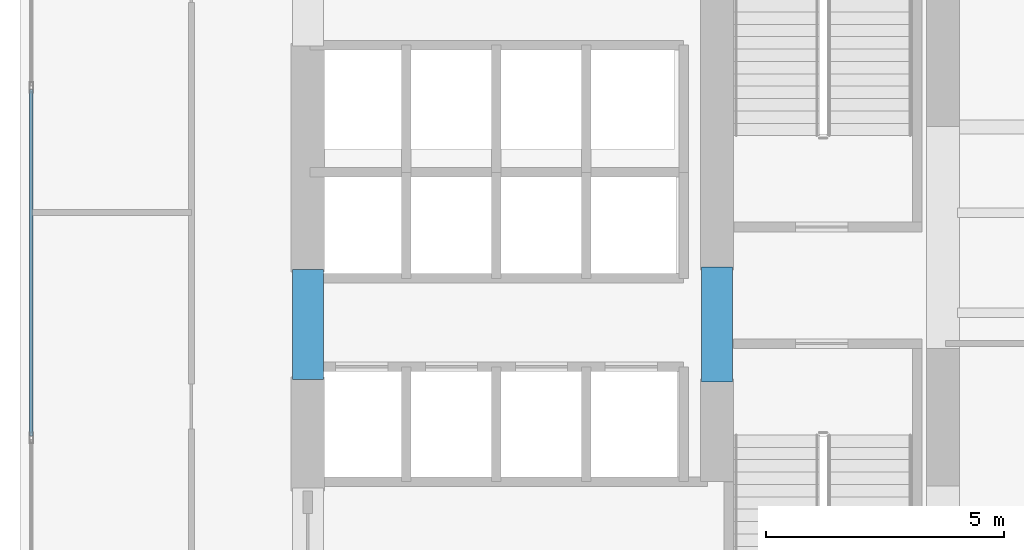
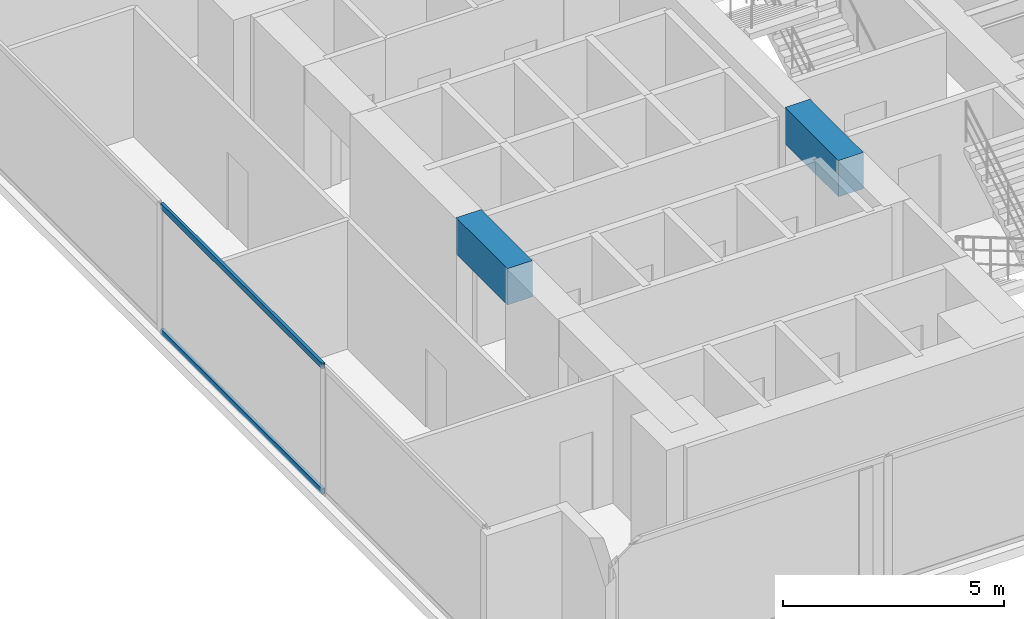
# One storey, part 3 of 28: 2 beams, 2 members, 1 element without a shape of its own.
"""IFC4 building model written with IfcOpenShell, lengths in metres."""

from ifc_helpers import new_model, si_unit, direction, frame, origin, origin_with_axes, origin_2d, place, context, subcontext, project, spatial, rectangle, hollow_rectangle, extrude, source, transform, mapped, material, layer, layer_set, material_profile, profile_set, type_object, element, aggregate, save


model = new_model("IFC4")

# Units and contexts
model_context = context("Model", 3, precision=1e-05, world=origin(), true_north=direction((0.0, 1.0)))
body_context = subcontext(model_context, "Body", "Model", "MODEL_VIEW")
ifc_project = project(units=[si_unit("LENGTHUNIT", "METRE"), si_unit("AREAUNIT", "SQUARE_METRE"), si_unit("VOLUMEUNIT", "CUBIC_METRE"), si_unit("PLANEANGLEUNIT", "RADIAN"), si_unit("MASSUNIT", "GRAM", prefix="KILO")], contexts=[model_context])

# Site, building, storey
site_placement = place(None, origin())
site = spatial("IfcSite", under=ifc_project, at=site_placement, CompositionType="ELEMENT")
building_placement = place(site_placement, origin())
building = spatial("IfcBuilding", under=site, at=building_placement, Name="Kolvaren Waterfront Exchange", CompositionType="ELEMENT")
storey_placement = place(building_placement, frame((0.0, 0.0, 41.0)))
storey = spatial("IfcBuildingStorey", under=building, at=storey_placement, Name="L10", CompositionType="ELEMENT", Elevation=41.0)

# Beams
ifc_material_1 = material(Name="Concrete C60/75", Category="concrete")
ifc_material_profile_1 = material_profile(ifc_material_1, rectangle(XDim=0.64990234375, YDim=1.0, at=origin_2d()), Name="RC-CB-1000x650")
ifc_profile_set_1 = profile_set([ifc_material_profile_1], Name="Concrete C60/75")
beam_type = type_object("IfcBeamType", Name="STR-CB-1000", PredefinedType="SPANDREL", material=ifc_profile_set_1)
beam_1_placement = place(storey_placement, frame((7.449951171875, 12.090087890625, 3.0400390625), z_axis=(0.0, 1.0, 0.0), x_axis=(-1.0, 0.0, 0.0)))
element("IfcBeam", 1, at=beam_1_placement, inside=storey, type_object=beam_type, Name="L10 core coupling beam 4", PredefinedType="SPANDREL", context=body_context, shape_type="SweptSolid", body=[
    extrude(rectangle(XDim=0.64990234375, YDim=1.0, at=origin_2d()), origin(), (0.0, 0.0, 1.0), 2.31982421875),
])
beam_2_placement = place(storey_placement, frame((16.050048828125, 12.0400390625, 3.0400390625), z_axis=(0.0, 1.0, 0.0), x_axis=(-1.0, 0.0, 0.0)))
element("IfcBeam", 2, at=beam_2_placement, inside=storey, type_object=beam_type, Name="L10 core coupling beam 6", PredefinedType="SPANDREL", context=body_context, shape_type="SweptSolid", body=[
    extrude(rectangle(XDim=0.64990234375, YDim=1.0, at=origin_2d()), origin(), (0.0, 0.0, 1.0), 2.419921875),
])

# Curtain wall, members
ifc_material_2 = material(Name="Anodised aluminium 6063-T6", Category="aluminium")
ifc_layer = layer(ifc_material_2, 0.219970703125, Name="Anodised aluminium 6063-T6")
ifc_layer_set = layer_set([ifc_layer], Name="Anodised aluminium 6063-T6")
curtain_wall_type = type_object("IfcCurtainWallType", Name="ARC-CW-SYS2", PredefinedType="USERDEFINED", material=ifc_layer_set)
curtain_wall_placement = place(storey_placement, origin())
curtain_wall = element("IfcCurtainWall", 3, at=curtain_wall_placement, inside=storey, type_object=curtain_wall_type, Name="L10 stick curtain wall CW2 (CW-L10-W)", ObjectType="STICK CURTAIN WALL", PredefinedType="USERDEFINED")
ifc_material_profile_2 = material_profile(ifc_material_2, hollow_rectangle(XDim=0.074951171875, YDim=0.159912109375, WallThickness=0.00439453125, at=origin_2d()), Name="ALU-TRN-160x75x4.5")
ifc_profile_set_2 = profile_set([ifc_material_profile_2], Name="Anodised aluminium 6063-T6")
member_type = type_object("IfcMemberType", Name="ARC-CWT-160", PredefinedType="USERDEFINED", material=ifc_profile_set_2)
shared_shape = source(origin_with_axes(), body_context, "Body", "SweptSolid", [
    extrude(hollow_rectangle(XDim=0.074951171875, YDim=0.159912109375, WallThickness=0.00439453125, at=origin_2d()), origin(), (0.0, 0.0, 1.0), 7.28662109375),
])
member_1_placement = place(storey_placement, frame((1.639892578125, 10.90673828125, 0.03759765625), z_axis=(0.0, 1.0, 0.0), x_axis=(-1.0, 0.0, 0.0)))
member_1 = element("IfcMember", 4, at=member_1_placement, type_object=member_type, Name="CW2 transom 2.1", ObjectType="TRANSOM", PredefinedType="USERDEFINED", context=body_context, shape_type="MappedRepresentation", body=[
    mapped(shared_shape, transform((0.0, 0.0, 0.0), x_axis=(1.0, 0.0, 0.0), y_axis=(0.0, 1.0, 0.0), z_axis=(0.0, 0.0, 1.0), scale=1.0)),
])
member_2_placement = place(storey_placement, frame((1.639892578125, 10.90673828125, 3.50244140625), z_axis=(0.0, 1.0, 0.0), x_axis=(-1.0, 0.0, 0.0)))
member_2 = element("IfcMember", 5, at=member_2_placement, type_object=member_type, Name="CW2 transom 2.2", ObjectType="TRANSOM", PredefinedType="USERDEFINED", context=body_context, shape_type="MappedRepresentation", body=[
    mapped(shared_shape, transform((0.0, 0.0, 0.0), x_axis=(1.0, 0.0, 0.0), y_axis=(0.0, 1.0, 0.0), z_axis=(0.0, 0.0, 1.0), scale=1.0)),
])
aggregate(curtain_wall, [member_1, member_2])

save(model, "model.ifc")
